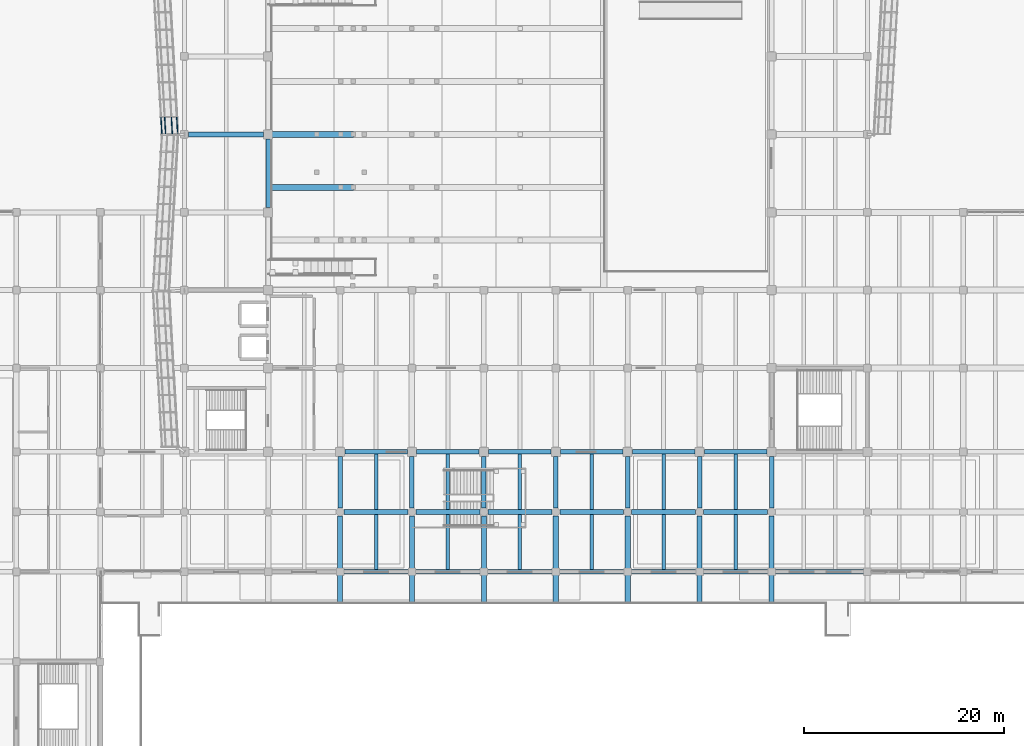
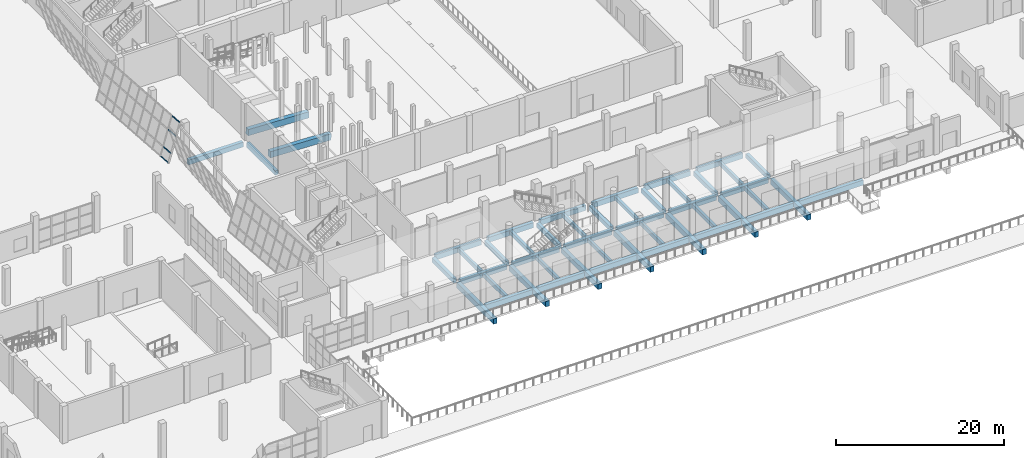
# One storey, part 24 of 78: 49 beams, 4 members, 1 element without a shape of its own.
"""IFC4 building model written with IfcOpenShell, lengths in metres."""

from ifc_helpers import new_model, si_unit, direction, frame, origin, origin_2d, place, context, subcontext, project, spatial, rectangle, hollow_rectangle, extrude, material, material_profile, profile_set, type_object, element, aggregate, save


model = new_model("IFC4")

# Units and contexts
model_context = context("Model", 3, precision=1e-05, world=origin(), true_north=direction((0.0, 1.0)))
body_context = subcontext(model_context, "Body", "Model", "MODEL_VIEW")
ifc_project = project(units=[si_unit("LENGTHUNIT", "METRE"), si_unit("AREAUNIT", "SQUARE_METRE"), si_unit("VOLUMEUNIT", "CUBIC_METRE"), si_unit("PLANEANGLEUNIT", "RADIAN"), si_unit("MASSUNIT", "GRAM", prefix="KILO")], contexts=[model_context])

# Site, building, storey
site_placement = place(None, origin())
site = spatial("IfcSite", under=ifc_project, at=site_placement, CompositionType="ELEMENT")
building_placement = place(site_placement, origin())
building = spatial("IfcBuilding", under=site, at=building_placement, Name="Pellamere Symphony Hall", CompositionType="ELEMENT")
storey_placement = place(building_placement, origin())
storey = spatial("IfcBuildingStorey", under=building, at=storey_placement, Name="L00", CompositionType="ELEMENT", Elevation=0.0)

# Curtain wall, members
ifc_material_1 = material(Name="Thermally Broken Anodised Aluminium 6063-T6 Curtain Wall", Category="aluminium")
curtain_wall_type = type_object("IfcCurtainWallType", Name="Curtain Wall CW-01 (Tilted Faceted Crystal Low-Iron Curtain Wall)", PredefinedType="NOTDEFINED", material=ifc_material_1)
curtain_wall_placement = place(storey_placement, origin())
curtain_wall = element("IfcCurtainWall", 1, at=curtain_wall_placement, inside=storey, type_object=curtain_wall_type, Name="Crystal Faceted Curtain Wall CW-CR16 (L00)", PredefinedType="NOTDEFINED")
ifc_material_2 = material(Name="Anodised Architectural Aluminium 6063-T6", Category="aluminium")
ifc_material_profile_1 = material_profile(ifc_material_2, hollow_rectangle(XDim=0.074951171875, YDim=0.179931640625, WallThickness=0.0048828125, at=origin_2d()), Name="ALU-T75X180X5")
ifc_profile_set_1 = profile_set([ifc_material_profile_1], Name="Anodised Architectural Aluminium 6063-T6")
member_type = type_object("IfcMemberType", Name="Curtain Wall Transom TR-01 ALU-T75X180X5", PredefinedType="USERDEFINED", material=ifc_profile_set_1)
member_1_placement = place(storey_placement, frame((48.063232421875, 63.507080078125, 0.035888671875), z_axis=(0.057190120561, -0.998363305671, 0.0), x_axis=(0.998363305671, 0.057190120561, 0.0)))
member_1 = element("IfcMember", 2, at=member_1_placement, type_object=member_type, Name="CW1-042 crystal transom 9.1", ObjectType="TRANSOM", PredefinedType="USERDEFINED", context=body_context, shape_type="SweptSolid", body=[
    extrude(hollow_rectangle(XDim=0.074951171875, YDim=0.179931640625, WallThickness=0.0048828125, at=origin_2d()), origin(), (0.0, 0.0, 1.0), 1.635009765625),
])
member_2_placement = place(storey_placement, frame((48.4365234375, 63.507080078125, 1.2958984375), z_axis=(0.057190120561, -0.998363305671, 0.0), x_axis=(0.998363305671, 0.057190120561, 0.0)))
member_2 = element("IfcMember", 3, at=member_2_placement, type_object=member_type, Name="CW1-042 crystal transom 9.2", ObjectType="TRANSOM", PredefinedType="USERDEFINED", context=body_context, shape_type="SweptSolid", body=[
    extrude(hollow_rectangle(XDim=0.074951171875, YDim=0.179931640625, WallThickness=0.0048828125, at=origin_2d()), origin(), (0.0, 0.0, 1.0), 1.635009765625),
])
member_3_placement = place(storey_placement, frame((49.1083984375, 63.507080078125, 3.56396484375), z_axis=(0.057190120561, -0.998363305671, 0.0), x_axis=(0.998363305671, 0.057190120561, 0.0)))
member_3 = element("IfcMember", 4, at=member_3_placement, type_object=member_type, Name="CW1-042 crystal transom 9.3", ObjectType="TRANSOM", PredefinedType="USERDEFINED", context=body_context, shape_type="SweptSolid", body=[
    extrude(hollow_rectangle(XDim=0.074951171875, YDim=0.179931640625, WallThickness=0.0048828125, at=origin_2d()), origin(), (0.0, 0.0, 1.0), 1.635009765625),
])
member_4_placement = place(storey_placement, frame((49.6416015625, 63.507080078125, 5.364013671875), z_axis=(0.057190120561, -0.998363305671, 0.0), x_axis=(0.998363305671, 0.057190120561, 0.0)))
member_4 = element("IfcMember", 5, at=member_4_placement, type_object=member_type, Name="CW1-042 crystal transom 9.4", ObjectType="TRANSOM", PredefinedType="USERDEFINED", context=body_context, shape_type="SweptSolid", body=[
    extrude(hollow_rectangle(XDim=0.074951171875, YDim=0.179931640625, WallThickness=0.0048828125, at=origin_2d()), origin(), (0.0, 0.0, 1.0), 1.635009765625),
])
aggregate(curtain_wall, [member_1, member_2, member_3, member_4])

# Beams
ifc_material_3 = material(Name="Concrete 40 MPa", Category="concrete")
ifc_material_profile_2 = material_profile(ifc_material_3, rectangle(XDim=0.52001953125, YDim=0.780029296875, at=origin_2d()), Name="RC 520x780")
ifc_profile_set_2 = profile_set([ifc_material_profile_2], Name="Concrete 40 MPa")
beam_type_1 = type_object("IfcBeamType", Name="RC CB-06 520x780", PredefinedType="BEAM", material=ifc_profile_set_2)
for number, where, z_axis, x_axis, name in (
    (6, (66.0, 14.800048828125, -0.68994140625), (0.0, 1.0, 0.0), (-1.0, 0.0, 0.0), "Continuous Cantilever Terrace Girder CB-06-0259 (L00)"),
    (7, (73.199951171875, 14.800048828125, -0.68994140625), (0.0, 1.0, 0.0), (-1.0, 0.0, 0.0), "Continuous Cantilever Terrace Girder CB-06-0265 (L00)"),
    (8, (80.39990234375, 14.800048828125, -0.68994140625), (0.0, 1.0, 0.0), (-1.0, 0.0, 0.0), "Continuous Cantilever Terrace Girder CB-06-0271 (L00)"),
    (9, (87.60009765625, 14.800048828125, -0.68994140625), (0.0, 1.0, 0.0), (-1.0, 0.0, 0.0), "Continuous Cantilever Terrace Girder CB-06-0277 (L00)"),
    (10, (94.800048828125, 14.800048828125, -0.68994140625), (0.0, 1.0, 0.0), (-1.0, 0.0, 0.0), "Continuous Cantilever Terrace Girder CB-06-0286 (L00)"),
    (11, (102.0, 14.800048828125, -0.68994140625), (0.0, 1.0, 0.0), (-1.0, 0.0, 0.0), "Continuous Cantilever Terrace Girder CB-06-0295 (L00)"),
    (12, (109.199951171875, 14.800048828125, -0.68994140625), (0.0, 1.0, 0.0), (-1.0, 0.0, 0.0), "Continuous Cantilever Terrace Girder CB-06-0304 (L00)"),
):
    element("IfcBeam", number, at=place(storey_placement, frame(where, z_axis=z_axis, x_axis=x_axis)), inside=storey, type_object=beam_type_1, Name=name, PredefinedType="BEAM", context=body_context, shape_type="SweptSolid", body=[
        extrude(rectangle(XDim=0.52001953125, YDim=0.780029296875, at=origin_2d()), origin(), (0.0, 0.0, 1.0), 8.800048828125),
    ])
ifc_material_profile_3 = material_profile(ifc_material_3, rectangle(XDim=0.5, YDim=0.699951171875, at=origin_2d()), Name="RC 500x700")
ifc_profile_set_3 = profile_set([ifc_material_profile_3], Name="Concrete 40 MPa")
beam_type_2 = type_object("IfcBeamType", Name="RC CB-07 500x700", PredefinedType="BEAM", material=ifc_profile_set_3)
beam_1_placement = place(storey_placement, frame((66.39990234375, 24.0, -0.64990234375), z_axis=(1.0, 0.0, 0.0), x_axis=(0.0, 1.0, 0.0)))
element("IfcBeam", 13, at=beam_1_placement, inside=storey, type_object=beam_type_2, Name="Girder CB-07-X0037 (L00)", PredefinedType="BEAM", context=body_context, shape_type="SweptSolid", body=[
    extrude(rectangle(XDim=0.5, YDim=0.699951171875, at=origin_2d()), origin(), (0.0, 0.0, 1.0), 6.400146484375),
])
for number, where, z_axis, x_axis, name in (
    (14, (73.60009765625, 24.0, -0.64990234375), (1.0, 0.0, 0.0), (0.0, 1.0, 0.0), "Girder CB-07-X0038 (L00)"),
    (15, (80.800048828125, 24.0, -0.64990234375), (1.0, 0.0, 0.0), (0.0, 1.0, 0.0), "Girder CB-07-X0039 (L00)"),
    (16, (88.0, 24.0, -0.64990234375), (1.0, 0.0, 0.0), (0.0, 1.0, 0.0), "Girder CB-07-X0040 (L00)"),
):
    element("IfcBeam", number, at=place(storey_placement, frame(where, z_axis=z_axis, x_axis=x_axis)), inside=storey, type_object=beam_type_2, Name=name, PredefinedType="BEAM", context=body_context, shape_type="SweptSolid", body=[
        extrude(rectangle(XDim=0.5, YDim=0.699951171875, at=origin_2d()), origin(), (0.0, 0.0, 1.0), 6.39990234375),
    ])
for number, where, z_axis, x_axis, name in (
    (17, (95.199951171875, 24.0, -0.64990234375), (1.0, 0.0, 0.0), (0.0, 1.0, 0.0), "Girder CB-07-X0041 (L00)"),
    (18, (102.39990234375, 24.0, -0.64990234375), (1.0, 0.0, 0.0), (0.0, 1.0, 0.0), "Girder CB-07-X0042 (L00)"),
):
    element("IfcBeam", number, at=place(storey_placement, frame(where, z_axis=z_axis, x_axis=x_axis)), inside=storey, type_object=beam_type_2, Name=name, PredefinedType="BEAM", context=body_context, shape_type="SweptSolid", body=[
        extrude(rectangle(XDim=0.5, YDim=0.699951171875, at=origin_2d()), origin(), (0.0, 0.0, 1.0), 6.400146484375),
    ])
beam_2_placement = place(storey_placement, frame((50.800048828125, 61.800048828125, -0.64990234375), z_axis=(1.0, 0.0, 0.0), x_axis=(0.0, 1.0, 0.0)))
element("IfcBeam", 19, at=beam_2_placement, inside=storey, type_object=beam_type_2, Name="Girder CB-07-X0124 (L00)", PredefinedType="BEAM", context=body_context, shape_type="SweptSolid", body=[
    extrude(rectangle(XDim=0.5, YDim=0.699951171875, at=origin_2d()), origin(), (0.0, 0.0, 1.0), 7.52490234375),
])
ifc_material_profile_4 = material_profile(ifc_material_3, rectangle(XDim=0.449951171875, YDim=0.64990234375, at=origin_2d()), Name="RC 450x650")
ifc_profile_set_4 = profile_set([ifc_material_profile_4], Name="Concrete 40 MPa")
beam_type_3 = type_object("IfcBeamType", Name="RC CB-08 450x650", PredefinedType="BEAM", material=ifc_profile_set_4)
beam_3_placement = place(storey_placement, frame((58.800048828125, 54.47509765625, -0.625), z_axis=(0.0, 1.0, 0.0), x_axis=(-1.0, 0.0, 0.0)))
element("IfcBeam", 20, at=beam_3_placement, inside=storey, type_object=beam_type_3, Name="Girder CB-08-Y0251 (L00)", PredefinedType="BEAM", context=body_context, shape_type="SweptSolid", body=[
    extrude(rectangle(XDim=0.449951171875, YDim=0.64990234375, at=origin_2d()), origin(), (0.0, 0.0, 1.0), 6.849853515625),
])
for number, where, z_axis, x_axis, name in (
    (21, (66.0, 24.39990234375, -0.625), (0.0, 1.0, 0.0), (-1.0, 0.0, 0.0), "Girder CB-08-Y0260 (L00)"),
    (22, (73.199951171875, 24.39990234375, -0.625), (0.0, 1.0, 0.0), (-1.0, 0.0, 0.0), "Girder CB-08-Y0266 (L00)"),
    (23, (80.39990234375, 24.39990234375, -0.625), (0.0, 1.0, 0.0), (-1.0, 0.0, 0.0), "Girder CB-08-Y0272 (L00)"),
    (24, (87.60009765625, 24.39990234375, -0.625), (0.0, 1.0, 0.0), (-1.0, 0.0, 0.0), "Girder CB-08-Y0278 (L00)"),
    (25, (94.800048828125, 24.39990234375, -0.625), (0.0, 1.0, 0.0), (-1.0, 0.0, 0.0), "Girder CB-08-Y0287 (L00)"),
    (26, (102.0, 24.39990234375, -0.625), (0.0, 1.0, 0.0), (-1.0, 0.0, 0.0), "Girder CB-08-Y0296 (L00)"),
    (27, (109.199951171875, 24.39990234375, -0.625), (0.0, 1.0, 0.0), (-1.0, 0.0, 0.0), "Girder CB-08-Y0305 (L00)"),
):
    element("IfcBeam", number, at=place(storey_placement, frame(where, z_axis=z_axis, x_axis=x_axis)), inside=storey, type_object=beam_type_3, Name=name, PredefinedType="BEAM", context=body_context, shape_type="SweptSolid", body=[
        extrude(rectangle(XDim=0.449951171875, YDim=0.64990234375, at=origin_2d()), origin(), (0.0, 0.0, 1.0), 5.125),
    ])
ifc_material_4 = material(Name="Concrete 35 MPa", Category="concrete")
ifc_material_profile_5 = material_profile(ifc_material_4, rectangle(XDim=0.35009765625, YDim=0.550048828125, at=origin_2d()), Name="RC 350x550")
ifc_profile_set_5 = profile_set([ifc_material_profile_5], Name="Concrete 35 MPa")
beam_type_4 = type_object("IfcBeamType", Name="RC CB-10 350x550", PredefinedType="BEAM", material=ifc_profile_set_5)
for number, where, z_axis, x_axis, name in (
    (28, (69.60009765625, 18.22509765625, -0.590087890625), (0.0, 1.0, 0.0), (-1.0, 0.0, 0.0), "Secondary Floor Beam CB-10-M0802 (L00)"),
    (29, (69.60009765625, 24.25, -0.590087890625), (0.0, 1.0, 0.0), (-1.0, 0.0, 0.0), "Secondary Floor Beam CB-10-M0803 (L00)"),
    (30, (76.800048828125, 18.22509765625, -0.590087890625), (0.0, 1.0, 0.0), (-1.0, 0.0, 0.0), "Secondary Floor Beam CB-10-M0902 (L00)"),
    (31, (76.800048828125, 24.25, -0.590087890625), (0.0, 1.0, 0.0), (-1.0, 0.0, 0.0), "Secondary Floor Beam CB-10-M0903 (L00)"),
    (32, (84.0, 18.22509765625, -0.590087890625), (0.0, 1.0, 0.0), (-1.0, 0.0, 0.0), "Secondary Floor Beam CB-10-M1002 (L00)"),
    (33, (84.0, 24.25, -0.590087890625), (0.0, 1.0, 0.0), (-1.0, 0.0, 0.0), "Secondary Floor Beam CB-10-M1003 (L00)"),
    (34, (91.199951171875, 18.22509765625, -0.590087890625), (0.0, 1.0, 0.0), (-1.0, 0.0, 0.0), "Secondary Floor Beam CB-10-M1102 (L00)"),
    (35, (91.199951171875, 24.25, -0.590087890625), (0.0, 1.0, 0.0), (-1.0, 0.0, 0.0), "Secondary Floor Beam CB-10-M1103 (L00)"),
    (36, (98.39990234375, 18.22509765625, -0.590087890625), (0.0, 1.0, 0.0), (-1.0, 0.0, 0.0), "Secondary Floor Beam CB-10-M1202 (L00)"),
    (37, (98.39990234375, 24.25, -0.590087890625), (0.0, 1.0, 0.0), (-1.0, 0.0, 0.0), "Secondary Floor Beam CB-10-M1203 (L00)"),
    (38, (105.60009765625, 18.22509765625, -0.590087890625), (0.0, 1.0, 0.0), (-1.0, 0.0, 0.0), "Secondary Floor Beam CB-10-M1302 (L00)"),
    (39, (105.60009765625, 24.25, -0.590087890625), (0.0, 1.0, 0.0), (-1.0, 0.0, 0.0), "Secondary Floor Beam CB-10-M1303 (L00)"),
):
    element("IfcBeam", number, at=place(storey_placement, frame(where, z_axis=z_axis, x_axis=x_axis)), inside=storey, type_object=beam_type_4, Name=name, PredefinedType="BEAM", context=body_context, shape_type="SweptSolid", body=[
        extrude(rectangle(XDim=0.35009765625, YDim=0.550048828125, at=origin_2d()), origin(), (0.0, 0.0, 1.0), 5.52490234375),
    ])
ifc_material_profile_6 = material_profile(ifc_material_3, rectangle(XDim=0.449951171875, YDim=0.75, at=origin_2d()), Name="RC 450x750")
ifc_profile_set_6 = profile_set([ifc_material_profile_6], Name="Concrete 40 MPa")
beam_type_5 = type_object("IfcBeamType", Name="RC CB-12 450x750", PredefinedType="SPANDREL", material=ifc_profile_set_6)
beam_4_placement = place(storey_placement, frame((66.39990234375, 18.0, -0.675048828125), z_axis=(1.0, 0.0, 0.0), x_axis=(0.0, 1.0, 0.0)))
element("IfcBeam", 40, at=beam_4_placement, inside=storey, type_object=beam_type_5, Name="Girder CB-12-X0019 (L00)", PredefinedType="SPANDREL", context=body_context, shape_type="SweptSolid", body=[
    extrude(rectangle(XDim=0.449951171875, YDim=0.75, at=origin_2d()), origin(), (0.0, 0.0, 1.0), 6.400146484375),
])
for number, where, z_axis, x_axis, name in (
    (41, (73.60009765625, 18.0, -0.675048828125), (1.0, 0.0, 0.0), (0.0, 1.0, 0.0), "Girder CB-12-X0020 (L00)"),
    (42, (80.800048828125, 18.0, -0.675048828125), (1.0, 0.0, 0.0), (0.0, 1.0, 0.0), "Girder CB-12-X0021 (L00)"),
    (43, (88.0, 18.0, -0.675048828125), (1.0, 0.0, 0.0), (0.0, 1.0, 0.0), "Girder CB-12-X0022 (L00)"),
):
    element("IfcBeam", number, at=place(storey_placement, frame(where, z_axis=z_axis, x_axis=x_axis)), inside=storey, type_object=beam_type_5, Name=name, PredefinedType="SPANDREL", context=body_context, shape_type="SweptSolid", body=[
        extrude(rectangle(XDim=0.449951171875, YDim=0.75, at=origin_2d()), origin(), (0.0, 0.0, 1.0), 6.39990234375),
    ])
for number, where, z_axis, x_axis, name in (
    (44, (95.199951171875, 18.0, -0.675048828125), (1.0, 0.0, 0.0), (0.0, 1.0, 0.0), "Girder CB-12-X0023 (L00)"),
    (45, (102.39990234375, 18.0, -0.675048828125), (1.0, 0.0, 0.0), (0.0, 1.0, 0.0), "Girder CB-12-X0024 (L00)"),
):
    element("IfcBeam", number, at=place(storey_placement, frame(where, z_axis=z_axis, x_axis=x_axis)), inside=storey, type_object=beam_type_5, Name=name, PredefinedType="SPANDREL", context=body_context, shape_type="SweptSolid", body=[
        extrude(rectangle(XDim=0.449951171875, YDim=0.75, at=origin_2d()), origin(), (0.0, 0.0, 1.0), 6.400146484375),
    ])
beam_5_placement = place(storey_placement, frame((109.60009765625, 18.0, -0.675048828125), z_axis=(1.0, 0.0, 0.0), x_axis=(0.0, 1.0, 0.0)))
element("IfcBeam", 46, at=beam_5_placement, inside=storey, type_object=beam_type_5, Name="Girder CB-12-X0025 (L00)", PredefinedType="SPANDREL", context=body_context, shape_type="SweptSolid", body=[
    extrude(rectangle(XDim=0.449951171875, YDim=0.75, at=origin_2d()), origin(), (0.0, 0.0, 1.0), 8.7998046875),
])
for number, where, z_axis, x_axis, name in (
    (47, (66.47509765625, 30.0, -0.675048828125), (1.0, 0.0, 0.0), (0.0, 1.0, 0.0), "Girder CB-12-X0055 (L00)"),
    (48, (73.675048828125, 30.0, -0.675048828125), (1.0, 0.0, 0.0), (0.0, 1.0, 0.0), "Girder CB-12-X0056 (L00)"),
    (49, (80.875, 30.0, -0.675048828125), (1.0, 0.0, 0.0), (0.0, 1.0, 0.0), "Girder CB-12-X0057 (L00)"),
    (50, (88.074951171875, 30.0, -0.675048828125), (1.0, 0.0, 0.0), (0.0, 1.0, 0.0), "Girder CB-12-X0058 (L00)"),
    (51, (95.27490234375, 30.0, -0.675048828125), (1.0, 0.0, 0.0), (0.0, 1.0, 0.0), "Girder CB-12-X0059 (L00)"),
    (52, (102.47509765625, 30.0, -0.675048828125), (1.0, 0.0, 0.0), (0.0, 1.0, 0.0), "Girder CB-12-X0060 (L00)"),
):
    element("IfcBeam", number, at=place(storey_placement, frame(where, z_axis=z_axis, x_axis=x_axis)), inside=storey, type_object=beam_type_5, Name=name, PredefinedType="SPANDREL", context=body_context, shape_type="SweptSolid", body=[
        extrude(rectangle(XDim=0.449951171875, YDim=0.75, at=origin_2d()), origin(), (0.0, 0.0, 1.0), 6.25),
    ])
ifc_material_profile_7 = material_profile(ifc_material_3, rectangle(XDim=0.60009765625, YDim=0.89990234375, at=origin_2d()), Name="RC 600x900")
ifc_profile_set_7 = profile_set([ifc_material_profile_7], Name="Concrete 40 MPa")
beam_type_6 = type_object("IfcBeamType", Name="RC RK-01 600x900", PredefinedType="BEAM", material=ifc_profile_set_7)
for number, where, z_axis, x_axis, name in (
    (53, (67.3125, 56.5, 0.5576171875), (-0.999302509727, 0.0, 0.037342925071), (0.0, -1.0, 0.0), "Stand Main Stalls Raker Beam RK-01-009"),
    (54, (67.3125, 61.800048828125, 0.5576171875), (-0.999302509727, 0.0, 0.037342925071), (0.0, -1.0, 0.0), "Stand Main Stalls Raker Beam RK-01-013"),
):
    element("IfcBeam", number, at=place(storey_placement, frame(where, z_axis=z_axis, x_axis=x_axis)), inside=storey, type_object=beam_type_6, Name=name, PredefinedType="BEAM", context=body_context, shape_type="SweptSolid", body=[
        extrude(rectangle(XDim=0.60009765625, YDim=0.89990234375, at=origin_2d()), origin(), (0.0, 0.0, 1.0), 8.368408203125),
    ])

save(model, "model.ifc")
